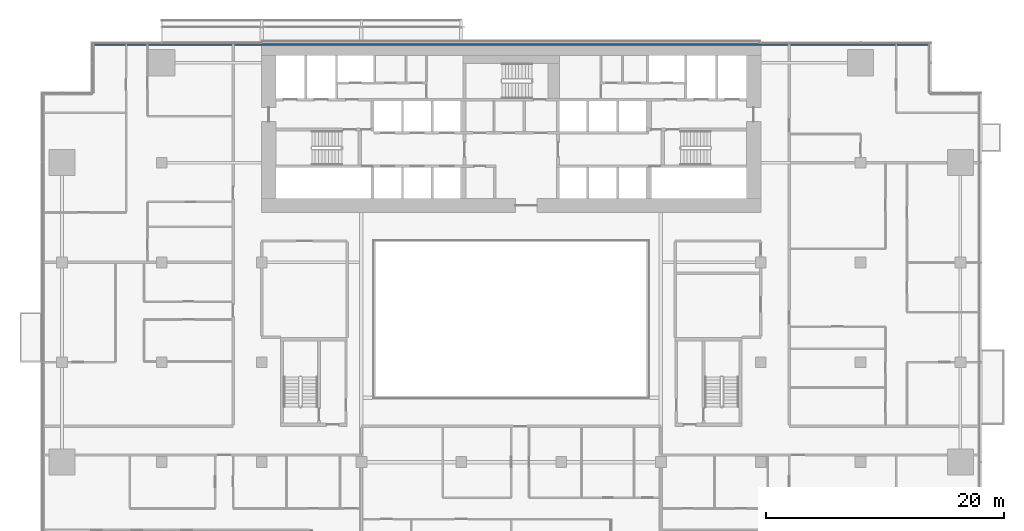
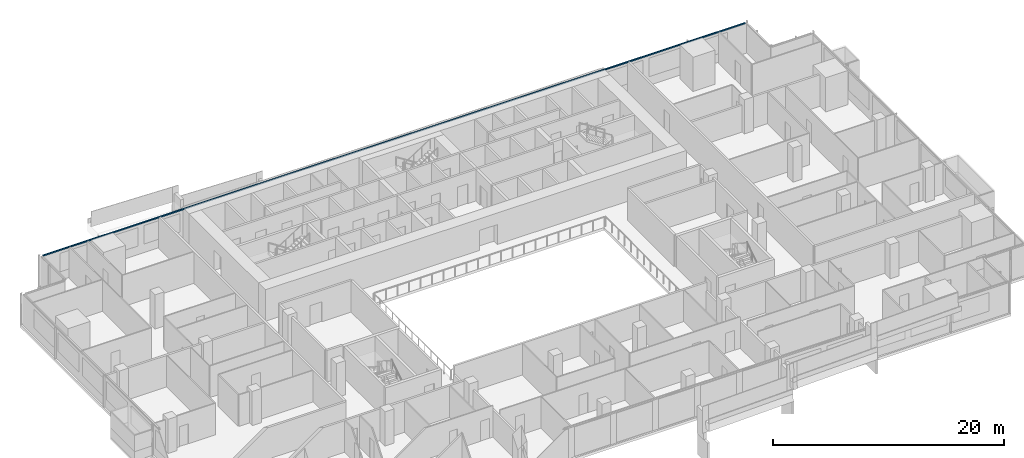
# One storey, part 9 of 27: 1 member, 1 element without a shape of its own.
"""IFC4 building model written with IfcOpenShell, lengths in metres."""

from ifc_helpers import new_model, si_unit, direction, frame, origin, origin_2d, place, context, subcontext, project, spatial, rectangle, extrude, material, material_profile, profile_set, type_object, element, aggregate, save


model = new_model("IFC4")

# Units and contexts
model_context = context("Model", 3, precision=1e-05, world=origin(), true_north=direction((0.0, 1.0)))
body_context = subcontext(model_context, "Body", "Model", "MODEL_VIEW")
ifc_project = project(units=[si_unit("LENGTHUNIT", "METRE"), si_unit("AREAUNIT", "SQUARE_METRE"), si_unit("VOLUMEUNIT", "CUBIC_METRE"), si_unit("PLANEANGLEUNIT", "RADIAN"), si_unit("MASSUNIT", "GRAM", prefix="KILO")], contexts=[model_context])

# Site, building, storey
site_placement = place(None, origin())
site = spatial("IfcSite", under=ifc_project, at=site_placement, CompositionType="ELEMENT")
building_placement = place(site_placement, origin())
building = spatial("IfcBuilding", under=site, at=building_placement, Name="Saffron Gate Tower", CompositionType="ELEMENT")
storey_placement = place(building_placement, frame((0.0, 0.0, 66.0)))
storey = spatial("IfcBuildingStorey", under=building, at=storey_placement, Name="L15", CompositionType="ELEMENT", Elevation=66.0)

# Curtain wall, member
ifc_material = material(Name="Aluminium, bronze anodised", Category="aluminium")
curtain_wall_type = type_object("IfcCurtainWallType", Name="CWS3 curtain wall rear facade", PredefinedType="NOTDEFINED", material=ifc_material)
curtain_wall_placement = place(storey_placement, origin())
curtain_wall = element("IfcCurtainWall", 1, at=curtain_wall_placement, inside=storey, type_object=curtain_wall_type, Name="CWS3 run 7", PredefinedType="NOTDEFINED")
ifc_material_profile = material_profile(ifc_material, rectangle(XDim=0.1201171875, YDim=0.1201171875, at=origin_2d()))
ifc_profile_set = profile_set([ifc_material_profile], Name="Aluminium, bronze anodised")
member_type = type_object("IfcMemberType", Name="CWS3 head transom", PredefinedType="USERDEFINED", material=ifc_profile_set)
member_placement = place(storey_placement, frame((122.632080078125, 75.35205078125, 3.260009765625), z_axis=(-1.0, 0.0, 0.0), x_axis=(0.0, -1.0, 0.0)))
member = element("IfcMember", 2, at=member_placement, type_object=member_type, Name="CWS3 head transom", ObjectType="TRANSOM", PredefinedType="USERDEFINED", context=body_context, shape_type="SweptSolid", body=[
    extrude(rectangle(XDim=0.1201171875, YDim=0.1201171875, at=origin_2d()), origin(), (0.0, 0.0, 1.0), 70.06396484375),
])
aggregate(curtain_wall, [member])

save(model, "model.ifc")
